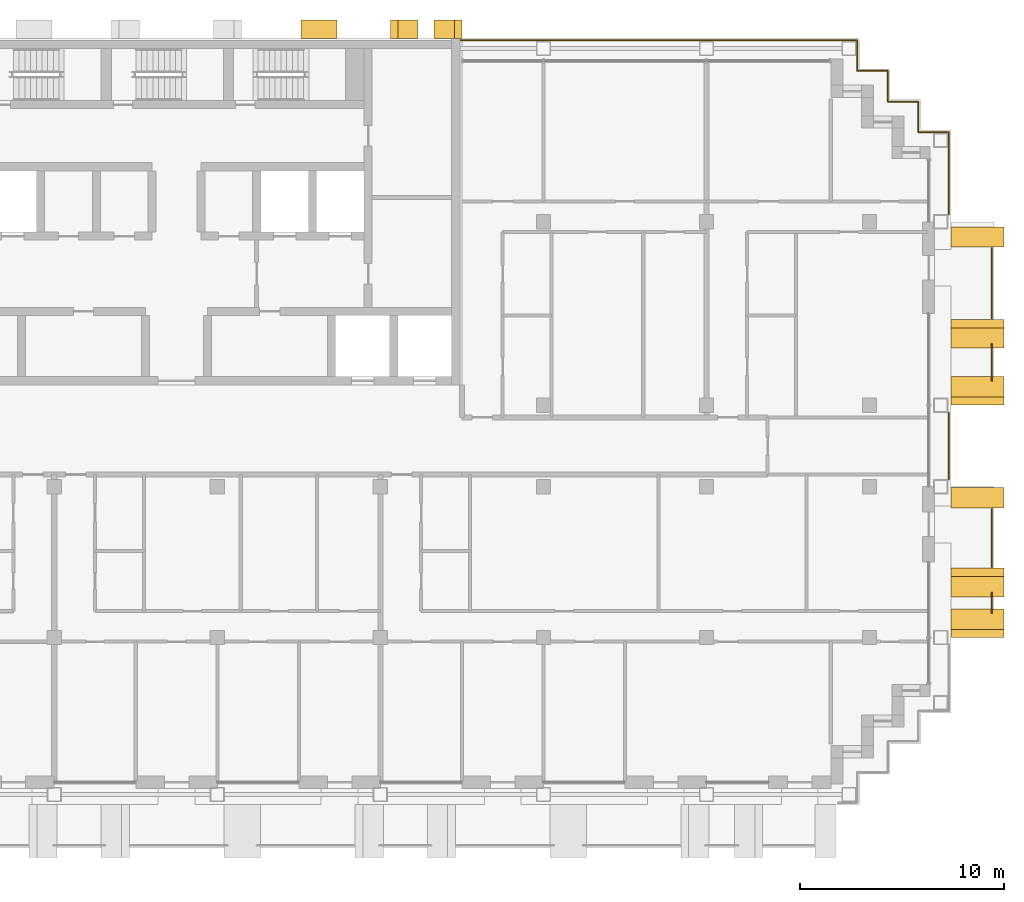
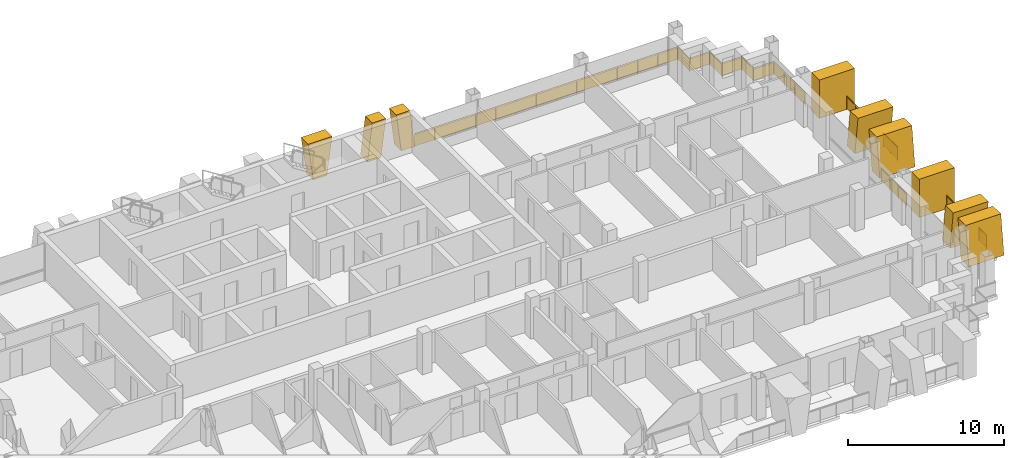
# One storey, part 16 of 16: 9 shading devices, 8 railings.
"""IFC4 building model written with IfcOpenShell, lengths in metres."""

from ifc_helpers import new_model, si_unit, direction, frame, origin, origin_2d, place, context, subcontext, project, spatial, polyline, rectangle, circle, outline, extrude, material, layer, layer_set, type_object, element, save


model = new_model("IFC4")

# Units and contexts
model_context = context("Model", 3, precision=1e-05, world=origin(), true_north=direction((0.0, 1.0)))
body_context = subcontext(model_context, "Body", "Model", "MODEL_VIEW")
ifc_project = project(units=[si_unit("LENGTHUNIT", "METRE"), si_unit("AREAUNIT", "SQUARE_METRE"), si_unit("VOLUMEUNIT", "CUBIC_METRE"), si_unit("PLANEANGLEUNIT", "RADIAN"), si_unit("MASSUNIT", "GRAM", prefix="KILO")], contexts=[model_context])

# Site, building, storey
site_placement = place(None, origin())
site = spatial("IfcSite", under=ifc_project, at=site_placement, CompositionType="ELEMENT")
building_placement = place(site_placement, origin())
building = spatial("IfcBuilding", under=site, at=building_placement, Name="Vidyagriha Tower", CompositionType="ELEMENT")
storey_placement = place(building_placement, frame((0.0, 0.0, 165.300048828125)))
storey = spatial("IfcBuildingStorey", under=building, at=storey_placement, Name="L42", CompositionType="ELEMENT", Elevation=165.300048828125)

# Railings
ifc_material_1 = material(Name="Steel ASTM A500 Grade C black painted", Category="steel")
railing_type_1 = type_object("IfcRailingType", Name="Balcony guard 1100", PredefinedType="BALUSTRADE", material=ifc_material_1)
railing_1_placement = place(storey_placement, frame((40.0, -8.19677734375, 0.0)))
element("IfcRailing", 1, at=railing_1_placement, inside=storey, type_object=railing_type_1, Name="Balcony guard L42 R30.1-1", PredefinedType="BALUSTRADE", context=body_context, shape_type="SweptSolid", body=[
    extrude(circle(Radius=0.02490234375, at=origin_2d()), frame((0.0, 0.0, 1.0751953125), z_axis=(0.0, 1.0, 0.0), x_axis=(-1.0, 0.0, 0.0)), (0.0, 0.0, 1.0), 0.993408203125),
    extrude(circle(Radius=0.02001953125, at=origin_2d()), origin(), (0.0, 0.0, 1.0), 1.050048828125),
    extrude(circle(Radius=0.02001953125, at=origin_2d()), frame((0.0, 0.993408203125, 0.0)), (0.0, 0.0, 1.0), 1.050048828125),
    extrude(rectangle(XDim=0.010009765625, YDim=0.900146484375, at=origin_2d()), frame((0.0, 0.0, 0.550048828125), z_axis=(0.0, 1.0, 0.0), x_axis=(-1.0, 0.0, 0.0)), (0.0, 0.0, 1.0), 0.993408203125),
])
railing_2_placement = place(storey_placement, frame((40.0, -5.949951171875, 0.0)))
element("IfcRailing", 2, at=railing_2_placement, inside=storey, type_object=railing_type_1, Name="Balcony guard L42 R30.1-2", PredefinedType="BALUSTRADE", context=body_context, shape_type="SweptSolid", body=[
    extrude(circle(Radius=0.02490234375, at=origin_2d()), frame((0.0, 0.0, 1.0751953125), z_axis=(0.0, 1.0, 0.0), x_axis=(-1.0, 0.0, 0.0)), (0.0, 0.0, 1.0), 2.849853515625),
    extrude(circle(Radius=0.02001953125, at=origin_2d()), origin(), (0.0, 0.0, 1.0), 1.050048828125),
    extrude(circle(Radius=0.02001953125, at=origin_2d()), frame((0.0, 0.949951171875, 0.0)), (0.0, 0.0, 1.0), 1.050048828125),
    extrude(circle(Radius=0.02001953125, at=origin_2d()), frame((0.0, 1.89990234375, 0.0)), (0.0, 0.0, 1.0), 1.050048828125),
    extrude(circle(Radius=0.02001953125, at=origin_2d()), frame((0.0, 2.849853515625, 0.0)), (0.0, 0.0, 1.0), 1.050048828125),
    extrude(rectangle(XDim=0.010009765625, YDim=0.900146484375, at=origin_2d()), frame((0.0, 0.0, 0.550048828125), z_axis=(0.0, 1.0, 0.0), x_axis=(-1.0, 0.0, 0.0)), (0.0, 0.0, 1.0), 2.849853515625),
])
railing_3_placement = place(storey_placement, frame((40.0, 3.203369140625, 0.0)))
element("IfcRailing", 3, at=railing_3_placement, inside=storey, type_object=railing_type_1, Name="Balcony guard L42 R30.2-1", PredefinedType="BALUSTRADE", context=body_context, shape_type="SweptSolid", body=[
    extrude(circle(Radius=0.02490234375, at=origin_2d()), frame((0.0, 0.0, 1.0751953125), z_axis=(0.0, 1.0, 0.0), x_axis=(-1.0, 0.0, 0.0)), (0.0, 0.0, 1.0), 1.793212890625),
    extrude(circle(Radius=0.02001953125, at=origin_2d()), origin(), (0.0, 0.0, 1.0), 1.050048828125),
    extrude(circle(Radius=0.02001953125, at=origin_2d()), frame((0.0, 0.896484375, 0.0)), (0.0, 0.0, 1.0), 1.050048828125),
    extrude(circle(Radius=0.02001953125, at=origin_2d()), frame((0.0, 1.793212890625, 0.0)), (0.0, 0.0, 1.0), 1.050048828125),
    extrude(rectangle(XDim=0.010009765625, YDim=0.900146484375, at=origin_2d()), frame((0.0, 0.0, 0.550048828125), z_axis=(0.0, 1.0, 0.0), x_axis=(-1.0, 0.0, 0.0)), (0.0, 0.0, 1.0), 1.793212890625),
])
railing_4_placement = place(storey_placement, frame((40.0, 6.25, 0.0)))
element("IfcRailing", 4, at=railing_4_placement, inside=storey, type_object=railing_type_1, Name="Balcony guard L42 R30.2-2", PredefinedType="BALUSTRADE", context=body_context, shape_type="SweptSolid", body=[
    extrude(circle(Radius=0.02490234375, at=origin_2d()), frame((0.0, 0.0, 1.0751953125), z_axis=(0.0, 1.0, 0.0), x_axis=(-1.0, 0.0, 0.0)), (0.0, 0.0, 1.0), 3.449951171875),
    extrude(circle(Radius=0.02001953125, at=origin_2d()), origin(), (0.0, 0.0, 1.0), 1.050048828125),
    extrude(circle(Radius=0.02001953125, at=origin_2d()), frame((0.0, 1.14990234375, 0.0)), (0.0, 0.0, 1.0), 1.050048828125),
    extrude(circle(Radius=0.02001953125, at=origin_2d()), frame((0.0, 2.300048828125, 0.0)), (0.0, 0.0, 1.0), 1.050048828125),
    extrude(circle(Radius=0.02001953125, at=origin_2d()), frame((0.0, 3.449951171875, 0.0)), (0.0, 0.0, 1.0), 1.050048828125),
    extrude(rectangle(XDim=0.010009765625, YDim=0.900146484375, at=origin_2d()), frame((0.0, 0.0, 0.550048828125), z_axis=(0.0, 1.0, 0.0), x_axis=(-1.0, 0.0, 0.0)), (0.0, 0.0, 1.0), 3.449951171875),
])

# Shading devices
ifc_material_2 = material(Name="Precast concrete C40/50 with buff brick facing", Category="concrete")
ifc_layer_1 = layer(ifc_material_2, 1.0)
ifc_layer_set_1 = layer_set([ifc_layer_1], Name="Precast concrete C40/50 with buff brick facing")
shading_device_type_1 = type_object("IfcShadingDeviceType", Name="Brick-faced blade fin arm leaning 8 degrees", PredefinedType="USERDEFINED", material=ifc_layer_set_1)
shading_device_1_placement = place(storey_placement, frame((39.300048828125, -9.39990234375, 0.0), z_axis=(0.0, 0.0, 1.0), x_axis=(0.0, 1.0, 0.0)))
element("IfcShadingDevice", 5, at=shading_device_1_placement, inside=storey, type_object=shading_device_type_1, Name="Leaning blade fin L42 R30.230a", ObjectType="BLADE FIN", PredefinedType="USERDEFINED", context=body_context, shape_type="SweptSolid", body=[
    extrude(outline(polyline([(0.0, 0.0), (1.0, 0.0), (1.39990234375, 3.0), (0.39990234375, 3.0), (0.0, 0.0)])), frame((0.0, 1.300048828125, 0.0), z_axis=(0.0, -1.0, 0.0), x_axis=(1.0, 0.0, 0.0)), (0.0, 0.0, 1.0), 2.60009765625),
])
shading_device_2_placement = place(storey_placement, frame((39.300048828125, -7.39990234375, 0.0), z_axis=(0.0, 0.0, 1.0), x_axis=(0.0, 1.0, 0.0)))
element("IfcShadingDevice", 6, at=shading_device_2_placement, inside=storey, type_object=shading_device_type_1, Name="Leaning blade fin L42 R30.230b", ObjectType="BLADE FIN", PredefinedType="USERDEFINED", context=body_context, shape_type="SweptSolid", body=[
    extrude(outline(polyline([(0.39990234375, 0.0), (1.39990234375, 0.0), (1.0, 3.0), (0.0, 3.0), (0.39990234375, 0.0)])), frame((0.0, 1.300048828125, 0.0), z_axis=(0.0, -1.0, 0.0), x_axis=(1.0, 0.0, 0.0)), (0.0, 0.0, 1.0), 2.60009765625),
])
shading_device_3_placement = place(storey_placement, frame((39.300048828125, 2.0, 0.0), z_axis=(0.0, 0.0, 1.0), x_axis=(0.0, 1.0, 0.0)))
element("IfcShadingDevice", 7, at=shading_device_3_placement, inside=storey, type_object=shading_device_type_1, Name="Leaning blade fin L42 R30.1370a", ObjectType="BLADE FIN", PredefinedType="USERDEFINED", context=body_context, shape_type="SweptSolid", body=[
    extrude(outline(polyline([(0.0, 0.0), (1.0, 0.0), (1.39990234375, 3.0), (0.39990234375, 3.0), (0.0, 0.0)])), frame((0.0, 1.300048828125, 0.0), z_axis=(0.0, -1.0, 0.0), x_axis=(1.0, 0.0, 0.0)), (0.0, 0.0, 1.0), 2.60009765625),
])
shading_device_4_placement = place(storey_placement, frame((39.300048828125, 4.800048828125, 0.0), z_axis=(0.0, 0.0, 1.0), x_axis=(0.0, 1.0, 0.0)))
element("IfcShadingDevice", 8, at=shading_device_4_placement, inside=storey, type_object=shading_device_type_1, Name="Leaning blade fin L42 R30.1370b", ObjectType="BLADE FIN", PredefinedType="USERDEFINED", context=body_context, shape_type="SweptSolid", body=[
    extrude(outline(polyline([(0.39990234375, 0.0), (1.39990234375, 0.0), (1.0, 3.0), (0.0, 3.0), (0.39990234375, 0.0)])), frame((0.0, 1.300048828125, 0.0), z_axis=(0.0, -1.0, 0.0), x_axis=(1.0, 0.0, 0.0)), (0.0, 0.0, 1.0), 2.60009765625),
])
ifc_material_3 = material(Name="Precast concrete C40/50 with buff brick facing", Category="concrete")
ifc_layer_2 = layer(ifc_material_3, 1.0)
ifc_layer_set_2 = layer_set([ifc_layer_2], Name="Precast concrete C40/50 with buff brick facing")
shading_device_type_2 = type_object("IfcShadingDeviceType", Name="Brick-faced blade fin stem 1000", PredefinedType="USERDEFINED", material=ifc_layer_set_2)
for number, where, z_axis, x_axis, name in (
    (9, (39.300048828125, -3.050048828125, 0.0), (0.0, 0.0, 1.0), (0.0, 1.0, 0.0), "Stem blade fin L42 R30.970a"),
    (10, (39.300048828125, 9.75, 0.0), (0.0, 0.0, 1.0), (0.0, 1.0, 0.0), "Stem blade fin L42 R30.2270a"),
):
    element("IfcShadingDevice", number, at=place(storey_placement, frame(where, z_axis=z_axis, x_axis=x_axis)), inside=storey, type_object=shading_device_type_2, Name=name, ObjectType="BLADE FIN", PredefinedType="USERDEFINED", context=body_context, shape_type="SweptSolid", body=[
        extrude(outline(polyline([(0.0, 0.0), (1.0, 0.0), (1.0, 3.0), (0.0, 3.0), (0.0, 0.0)])), frame((0.0, 1.300048828125, 0.0), z_axis=(0.0, -1.0, 0.0), x_axis=(1.0, 0.0, 0.0)), (0.0, 0.0, 1.0), 2.60009765625),
    ])
ifc_material_4 = material(Name="Precast concrete C40/50 with brick facing", Category="concrete")
ifc_layer_3 = layer(ifc_material_4, 1.0)
ifc_layer_set_3 = layer_set([ifc_layer_3], Name="Precast concrete C40/50 with brick facing")
shading_device_type_3 = type_object("IfcShadingDeviceType", Name="Brick-faced rear rib arm leaning 8 degrees", PredefinedType="USERDEFINED", material=ifc_layer_set_3)
shading_device_5_placement = place(storey_placement, frame((14.0, 20.449951171875, 0.0), z_axis=(0.0, 0.0, 1.0), x_axis=(-1.0, 0.0, 0.0)))
element("IfcShadingDevice", 11, at=shading_device_5_placement, inside=storey, type_object=shading_device_type_3, Name="Rear rib arm L42 R08.1a", ObjectType="BLADE FIN", PredefinedType="USERDEFINED", context=body_context, shape_type="SweptSolid", body=[
    extrude(outline(polyline([(0.0, 0.0), (1.0, 0.0), (1.357177734375, 2.919921875), (0.357177734375, 2.919921875), (0.0, 0.0)])), frame((0.0, 0.449951171875, 0.0), z_axis=(0.0, -1.0, 0.0), x_axis=(1.0, 0.0, 0.0)), (0.0, 0.0, 1.0), 0.89990234375),
])
shading_device_6_placement = place(storey_placement, frame((11.857177734375, 20.449951171875, 0.0), z_axis=(0.0, 0.0, 1.0), x_axis=(-1.0, 0.0, 0.0)))
element("IfcShadingDevice", 12, at=shading_device_6_placement, inside=storey, type_object=shading_device_type_3, Name="Rear rib arm L42 R08.1b", ObjectType="BLADE FIN", PredefinedType="USERDEFINED", context=body_context, shape_type="SweptSolid", body=[
    extrude(outline(polyline([(0.357177734375, 0.0), (1.357177734375, 0.0), (1.0, 2.919921875), (0.0, 2.919921875), (0.357177734375, 0.0)])), frame((0.0, 0.449951171875, 0.0), z_axis=(0.0, -1.0, 0.0), x_axis=(1.0, 0.0, 0.0)), (0.0, 0.0, 1.0), 0.89990234375),
])
ifc_material_5 = material(Name="Precast concrete C40/50 with brick facing", Category="concrete")
ifc_layer_4 = layer(ifc_material_5, 1.0)
ifc_layer_set_4 = layer_set([ifc_layer_4], Name="Precast concrete C40/50 with brick facing")
shading_device_type_4 = type_object("IfcShadingDeviceType", Name="Brick-faced rear rib forking 8 degrees", PredefinedType="USERDEFINED", material=ifc_layer_set_4)
shading_device_7_placement = place(storey_placement, frame((7.8857421875, 20.449951171875, 0.0), z_axis=(0.0, 0.0, 1.0), x_axis=(-1.0, 0.0, 0.0)))
element("IfcShadingDevice", 13, at=shading_device_7_placement, inside=storey, type_object=shading_device_type_4, Name="Rear rib fork L42 R08.2a", ObjectType="BLADE FIN", PredefinedType="USERDEFINED", context=body_context, shape_type="SweptSolid", body=[
    extrude(outline(polyline([(0.3857421875, 0.0), (1.3857421875, 0.0), (1.771484375, 2.919921875), (0.0, 2.919921875), (0.3857421875, 0.0)])), frame((0.0, 0.449951171875, 0.0), z_axis=(0.0, -1.0, 0.0), x_axis=(1.0, 0.0, 0.0)), (0.0, 0.0, 1.0), 0.89990234375),
])

# Railings
ifc_material_6 = material(Name="Steel ASTM A500 Grade C black painted", Category="steel")
railing_type_2 = type_object("IfcRailingType", Name="Gallery guard 1100", PredefinedType="GUARDRAIL", material=ifc_material_6)
railing_5_placement = place(storey_placement, frame((13.929931640625, 19.89990234375, 0.0)))
element("IfcRailing", 14, at=railing_5_placement, inside=storey, type_object=railing_type_2, Name="Gallery guard L42 6", PredefinedType="GUARDRAIL", context=body_context, shape_type="SweptSolid", body=[
    extrude(circle(Radius=0.02490234375, at=origin_2d()), frame((0.0, 0.0, 1.0751953125), z_axis=(1.0, 0.0, 0.0), x_axis=(0.0, 1.0, 0.0)), (0.0, 0.0, 1.0), 12.0),
    extrude(circle(Radius=0.02001953125, at=origin_2d()), origin(), (0.0, 0.0, 1.0), 1.050048828125),
    extrude(circle(Radius=0.02001953125, at=origin_2d()), frame((1.5, 0.0, 0.0)), (0.0, 0.0, 1.0), 1.050048828125),
    extrude(circle(Radius=0.02001953125, at=origin_2d()), frame((3.0, 0.0, 0.0)), (0.0, 0.0, 1.0), 1.050048828125),
    extrude(circle(Radius=0.02001953125, at=origin_2d()), frame((4.5, 0.0, 0.0)), (0.0, 0.0, 1.0), 1.050048828125),
    extrude(circle(Radius=0.02001953125, at=origin_2d()), frame((6.0, 0.0, 0.0)), (0.0, 0.0, 1.0), 1.050048828125),
    extrude(circle(Radius=0.02001953125, at=origin_2d()), frame((7.5, 0.0, 0.0)), (0.0, 0.0, 1.0), 1.050048828125),
    extrude(circle(Radius=0.02001953125, at=origin_2d()), frame((9.0, 0.0, 0.0)), (0.0, 0.0, 1.0), 1.050048828125),
    extrude(circle(Radius=0.02001953125, at=origin_2d()), frame((10.5, 0.0, 0.0)), (0.0, 0.0, 1.0), 1.050048828125),
    extrude(circle(Radius=0.02001953125, at=origin_2d()), frame((12.0, 0.0, 0.0)), (0.0, 0.0, 1.0), 1.050048828125),
    extrude(rectangle(XDim=0.010009765625, YDim=0.900146484375, at=origin_2d()), frame((0.0, 0.0, 0.550048828125), z_axis=(1.0, 0.0, 0.0), x_axis=(0.0, 1.0, 0.0)), (0.0, 0.0, 1.0), 12.0),
])
railing_6_placement = place(storey_placement, frame((25.929931640625, 19.89990234375, 0.0)))
element("IfcRailing", 15, at=railing_6_placement, inside=storey, type_object=railing_type_2, Name="Gallery guard L42 7", PredefinedType="GUARDRAIL", context=body_context, shape_type="SweptSolid", body=[
    extrude(circle(Radius=0.02490234375, at=origin_2d()), frame((0.0, 0.0, 1.0751953125), z_axis=(1.0, 0.0, 0.0), x_axis=(0.0, 1.0, 0.0)), (0.0, 0.0, 1.0), 7.469970703125),
    extrude(circle(Radius=0.02490234375, at=origin_2d()), frame((7.469970703125, 0.0, 1.0751953125), z_axis=(0.0, -1.0, 0.0), x_axis=(1.0, 0.0, 0.0)), (0.0, 0.0, 1.0), 1.5),
    extrude(circle(Radius=0.02490234375, at=origin_2d()), frame((7.469970703125, -1.5, 1.0751953125), z_axis=(1.0, 0.0, 0.0), x_axis=(0.0, 1.0, 0.0)), (0.0, 0.0, 1.0), 1.5),
    extrude(circle(Radius=0.02490234375, at=origin_2d()), frame((8.969970703125, -1.5, 1.0751953125), z_axis=(0.0, -1.0, 0.0), x_axis=(1.0, 0.0, 0.0)), (0.0, 0.0, 1.0), 1.5),
    extrude(circle(Radius=0.02490234375, at=origin_2d()), frame((8.969970703125, -3.0, 1.0751953125), z_axis=(1.0, 0.0, 0.0), x_axis=(0.0, 1.0, 0.0)), (0.0, 0.0, 1.0), 0.030029296875),
    extrude(circle(Radius=0.02001953125, at=origin_2d()), origin(), (0.0, 0.0, 1.0), 1.050048828125),
    extrude(circle(Radius=0.02001953125, at=origin_2d()), frame((1.493896484375, 0.0, 0.0)), (0.0, 0.0, 1.0), 1.050048828125),
    extrude(circle(Radius=0.02001953125, at=origin_2d()), frame((2.988037109375, 0.0, 0.0)), (0.0, 0.0, 1.0), 1.050048828125),
    extrude(circle(Radius=0.02001953125, at=origin_2d()), frame((4.48193359375, 0.0, 0.0)), (0.0, 0.0, 1.0), 1.050048828125),
    extrude(circle(Radius=0.02001953125, at=origin_2d()), frame((5.97607421875, 0.0, 0.0)), (0.0, 0.0, 1.0), 1.050048828125),
    extrude(circle(Radius=0.02001953125, at=origin_2d()), frame((7.469970703125, 0.0, 0.0)), (0.0, 0.0, 1.0), 1.050048828125),
    extrude(circle(Radius=0.02001953125, at=origin_2d()), frame((7.469970703125, -1.5, 0.0)), (0.0, 0.0, 1.0), 1.050048828125),
    extrude(circle(Radius=0.02001953125, at=origin_2d()), frame((8.969970703125, -1.5, 0.0)), (0.0, 0.0, 1.0), 1.050048828125),
    extrude(circle(Radius=0.02001953125, at=origin_2d()), frame((8.969970703125, -3.0, 0.0)), (0.0, 0.0, 1.0), 1.050048828125),
    extrude(circle(Radius=0.02001953125, at=origin_2d()), frame((9.0, -3.0, 0.0)), (0.0, 0.0, 1.0), 1.050048828125),
    extrude(rectangle(XDim=0.010009765625, YDim=0.900146484375, at=origin_2d()), frame((0.0, 0.0, 0.550048828125), z_axis=(1.0, 0.0, 0.0), x_axis=(0.0, 1.0, 0.0)), (0.0, 0.0, 1.0), 7.469970703125),
    extrude(rectangle(XDim=0.010009765625, YDim=0.900146484375, at=origin_2d()), frame((7.469970703125, 0.0, 0.550048828125), z_axis=(0.0, -1.0, 0.0), x_axis=(1.0, 0.0, 0.0)), (0.0, 0.0, 1.0), 1.5),
    extrude(rectangle(XDim=0.010009765625, YDim=0.900146484375, at=origin_2d()), frame((7.469970703125, -1.5, 0.550048828125), z_axis=(1.0, 0.0, 0.0), x_axis=(0.0, 1.0, 0.0)), (0.0, 0.0, 1.0), 1.5),
    extrude(rectangle(XDim=0.010009765625, YDim=0.900146484375, at=origin_2d()), frame((8.969970703125, -1.5, 0.550048828125), z_axis=(0.0, -1.0, 0.0), x_axis=(1.0, 0.0, 0.0)), (0.0, 0.0, 1.0), 1.5),
    extrude(rectangle(XDim=0.010009765625, YDim=0.900146484375, at=origin_2d()), frame((8.969970703125, -3.0, 0.550048828125), z_axis=(1.0, 0.0, 0.0), x_axis=(0.0, 1.0, 0.0)), (0.0, 0.0, 1.0), 0.030029296875),
])
railing_7_placement = place(storey_placement, frame((34.929931640625, 16.89990234375, 0.0)))
element("IfcRailing", 16, at=railing_7_placement, inside=storey, type_object=railing_type_2, Name="Gallery guard L42 8", PredefinedType="GUARDRAIL", context=body_context, shape_type="SweptSolid", body=[
    extrude(circle(Radius=0.02490234375, at=origin_2d()), frame((0.0, 0.0, 1.0751953125), z_axis=(1.0, 0.0, 0.0), x_axis=(0.0, 1.0, 0.0)), (0.0, 0.0, 1.0), 1.469970703125),
    extrude(circle(Radius=0.02490234375, at=origin_2d()), frame((1.469970703125, 0.0, 1.0751953125), z_axis=(0.0, -1.0, 0.0), x_axis=(1.0, 0.0, 0.0)), (0.0, 0.0, 1.0), 1.5),
    extrude(circle(Radius=0.02490234375, at=origin_2d()), frame((1.469970703125, -1.5, 1.0751953125), z_axis=(1.0, 0.0, 0.0), x_axis=(0.0, 1.0, 0.0)), (0.0, 0.0, 1.0), 1.5),
    extrude(circle(Radius=0.02490234375, at=origin_2d()), frame((2.969970703125, -1.5, 1.0751953125), z_axis=(0.0, -1.0, 0.0), x_axis=(1.0, 0.0, 0.0)), (0.0, 0.0, 1.0), 4.039794921875),
    extrude(circle(Radius=0.02001953125, at=origin_2d()), origin(), (0.0, 0.0, 1.0), 1.050048828125),
    extrude(circle(Radius=0.02001953125, at=origin_2d()), frame((1.469970703125, 0.0, 0.0)), (0.0, 0.0, 1.0), 1.050048828125),
    extrude(circle(Radius=0.02001953125, at=origin_2d()), frame((1.469970703125, -1.5, 0.0)), (0.0, 0.0, 1.0), 1.050048828125),
    extrude(circle(Radius=0.02001953125, at=origin_2d()), frame((2.969970703125, -1.5, 0.0)), (0.0, 0.0, 1.0), 1.050048828125),
    extrude(circle(Radius=0.02001953125, at=origin_2d()), frame((2.969970703125, -2.8466796875, 0.0)), (0.0, 0.0, 1.0), 1.050048828125),
    extrude(circle(Radius=0.02001953125, at=origin_2d()), frame((2.969970703125, -4.193115234375, 0.0)), (0.0, 0.0, 1.0), 1.050048828125),
    extrude(circle(Radius=0.02001953125, at=origin_2d()), frame((2.969970703125, -5.539794921875, 0.0)), (0.0, 0.0, 1.0), 1.050048828125),
    extrude(rectangle(XDim=0.010009765625, YDim=0.900146484375, at=origin_2d()), frame((0.0, 0.0, 0.550048828125), z_axis=(1.0, 0.0, 0.0), x_axis=(0.0, 1.0, 0.0)), (0.0, 0.0, 1.0), 1.469970703125),
    extrude(rectangle(XDim=0.010009765625, YDim=0.900146484375, at=origin_2d()), frame((1.469970703125, 0.0, 0.550048828125), z_axis=(0.0, -1.0, 0.0), x_axis=(1.0, 0.0, 0.0)), (0.0, 0.0, 1.0), 1.5),
    extrude(rectangle(XDim=0.010009765625, YDim=0.900146484375, at=origin_2d()), frame((1.469970703125, -1.5, 0.550048828125), z_axis=(1.0, 0.0, 0.0), x_axis=(0.0, 1.0, 0.0)), (0.0, 0.0, 1.0), 1.5),
    extrude(rectangle(XDim=0.010009765625, YDim=0.900146484375, at=origin_2d()), frame((2.969970703125, -1.5, 0.550048828125), z_axis=(0.0, -1.0, 0.0), x_axis=(1.0, 0.0, 0.0)), (0.0, 0.0, 1.0), 4.039794921875),
])
railing_8_placement = place(storey_placement, frame((37.89990234375, 1.639892578125, 0.0)))
element("IfcRailing", 17, at=railing_8_placement, inside=storey, type_object=railing_type_2, Name="Gallery guard L42 11", PredefinedType="GUARDRAIL", context=body_context, shape_type="SweptSolid", body=[
    extrude(circle(Radius=0.02490234375, at=origin_2d()), frame((0.0, 0.0, 1.0751953125), z_axis=(0.0, -1.0, 0.0), x_axis=(1.0, 0.0, 0.0)), (0.0, 0.0, 1.0), 3.27978515625),
    extrude(circle(Radius=0.02001953125, at=origin_2d()), origin(), (0.0, 0.0, 1.0), 1.050048828125),
    extrude(circle(Radius=0.02001953125, at=origin_2d()), frame((0.0, -1.09326171875, 0.0)), (0.0, 0.0, 1.0), 1.050048828125),
    extrude(circle(Radius=0.02001953125, at=origin_2d()), frame((0.0, -2.1865234375, 0.0)), (0.0, 0.0, 1.0), 1.050048828125),
    extrude(circle(Radius=0.02001953125, at=origin_2d()), frame((0.0, -3.27978515625, 0.0)), (0.0, 0.0, 1.0), 1.050048828125),
    extrude(rectangle(XDim=0.010009765625, YDim=0.900146484375, at=origin_2d()), frame((0.0, 0.0, 0.550048828125), z_axis=(0.0, -1.0, 0.0), x_axis=(1.0, 0.0, 0.0)), (0.0, 0.0, 1.0), 3.27978515625),
])

save(model, "model.ifc")
